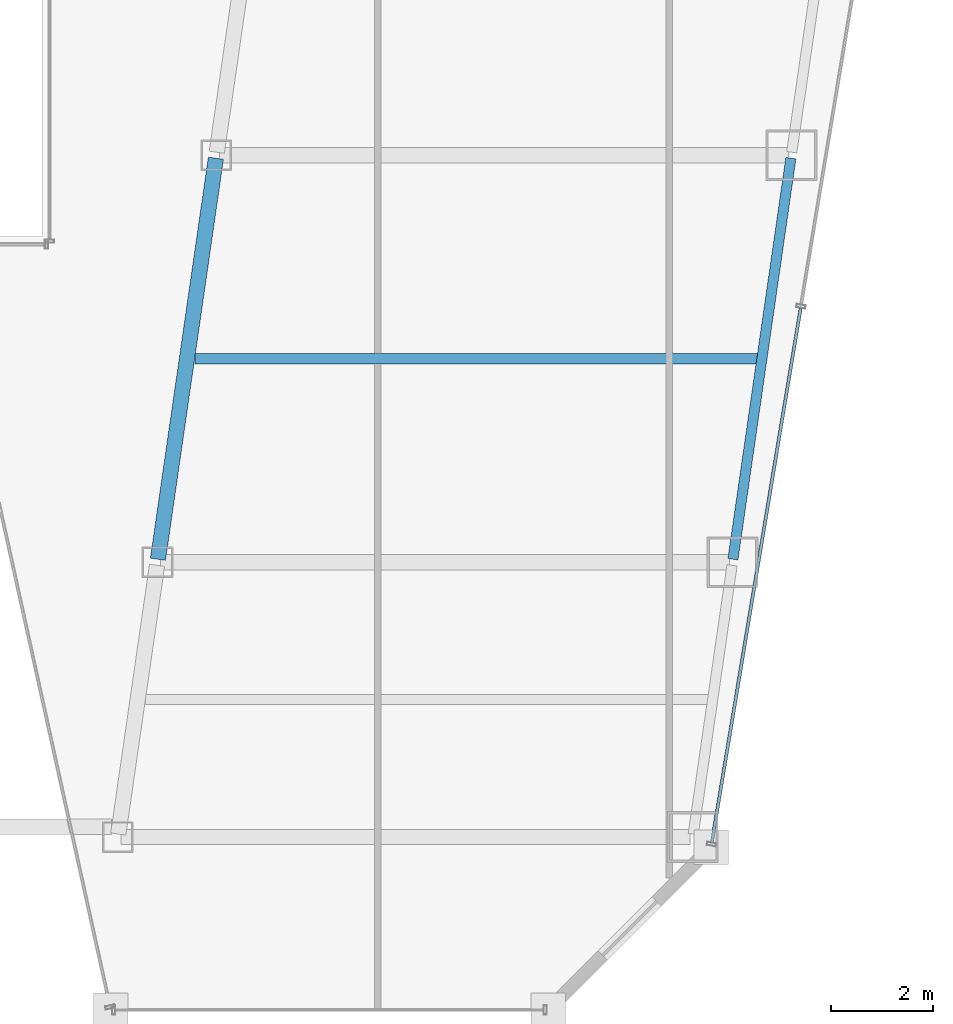
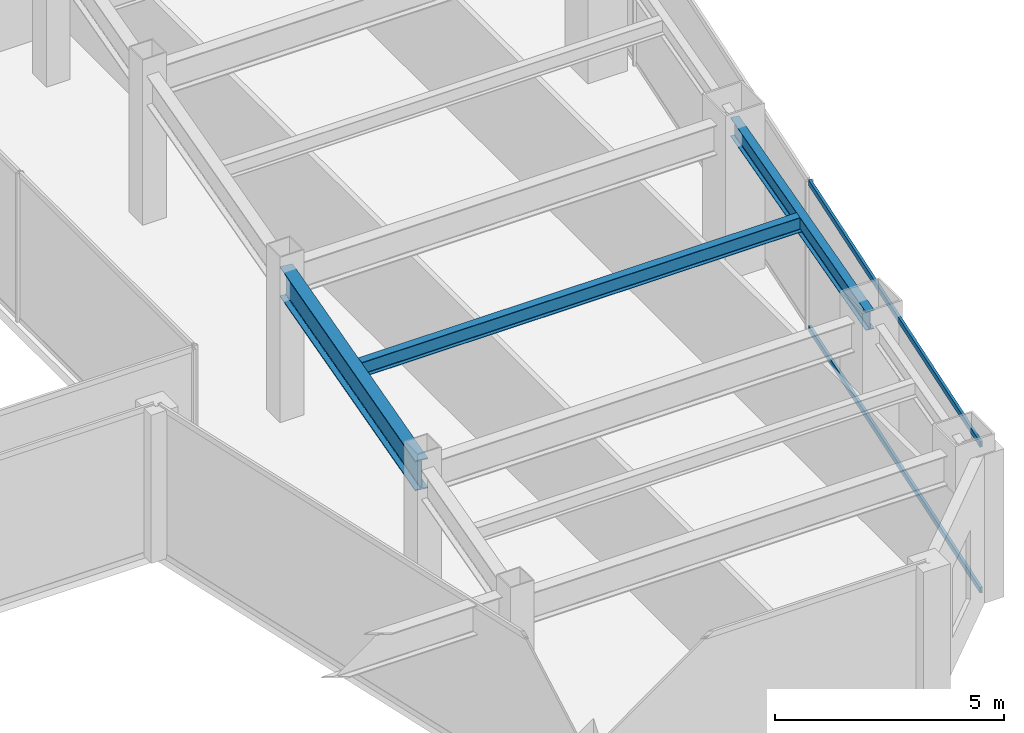
# One storey, part 14 of 36: 3 beams, 2 members, 1 element without a shape of its own.
"""IFC4 building model written with IfcOpenShell, lengths in metres."""

from ifc_helpers import new_model, si_unit, direction, frame, origin, origin_2d, place, context, subcontext, project, spatial, hollow_rectangle, i_section, extrude, material, material_profile, profile_set, type_object, element, aggregate, save


model = new_model("IFC4")

# Units and contexts
model_context = context("Model", 3, precision=1e-05, world=origin(), true_north=direction((0.0, 1.0)))
body_context = subcontext(model_context, "Body", "Model", "MODEL_VIEW")
ifc_project = project(units=[si_unit("LENGTHUNIT", "METRE"), si_unit("AREAUNIT", "SQUARE_METRE"), si_unit("VOLUMEUNIT", "CUBIC_METRE"), si_unit("PLANEANGLEUNIT", "RADIAN"), si_unit("MASSUNIT", "GRAM", prefix="KILO")], contexts=[model_context])

# Site, building, storey
site_placement = place(None, origin())
site = spatial("IfcSite", under=ifc_project, at=site_placement, CompositionType="ELEMENT")
building_placement = place(site_placement, origin())
building = spatial("IfcBuilding", under=site, at=building_placement, Name="Saevonmaru Cultural Tower", CompositionType="ELEMENT")
storey_placement = place(building_placement, frame((0.0, 0.0, 119.199951171875)))
storey = spatial("IfcBuildingStorey", under=building, at=storey_placement, Name="L25", CompositionType="ELEMENT", Elevation=119.199951171875)

# Beams
ifc_material_1 = material(Name="Steel SM420", Category="steel")
ifc_material_profile_1 = material_profile(ifc_material_1, i_section(OverallWidth=0.300048828125, OverallDepth=0.800048828125, WebThickness=0.013916015625, FlangeThickness=0.02587890625, FilletRadius=0.028076171875, at=origin_2d()), Name="H-800x300x14x26")
ifc_profile_set_1 = profile_set([ifc_material_profile_1], Name="Steel SM420")
beam_type_1 = type_object("IfcBeamType", Name="BM-G-H800", PredefinedType="BEAM", material=ifc_profile_set_1)
beam_1_placement = place(storey_placement, frame((38.08056640625, 16.059326171875, 3.550048828125), z_axis=(0.143022161059, 0.989719486241, 0.0), x_axis=(-0.989719486241, 0.143022161059, 0.0)))
element("IfcBeam", 1, at=beam_1_placement, inside=storey, type_object=beam_type_1, Name="L25 East Atrium Girder 2", PredefinedType="BEAM", context=body_context, shape_type="SweptSolid", body=[
    extrude(i_section(OverallWidth=0.300048828125, OverallDepth=0.800048828125, WebThickness=0.013916015625, FlangeThickness=0.02587890625, FilletRadius=0.028076171875, at=origin_2d()), origin(), (0.0, 0.0, 1.0), 7.963134765625),
])
ifc_material_2 = material(Name="Steel SM355", Category="steel")
ifc_material_profile_2 = material_profile(ifc_material_2, i_section(OverallWidth=0.199951171875, OverallDepth=0.39990234375, WebThickness=0.008056640625, FlangeThickness=0.012939453125, FilletRadius=0.01611328125, at=origin_2d()), Name="H-400x200x8x13")
ifc_profile_set_2 = profile_set([ifc_material_profile_2], Name="Steel SM355")
beam_type_2 = type_object("IfcBeamType", Name="BM-J-H400", PredefinedType="JOIST", material=ifc_profile_set_2)
beam_2_placement = place(storey_placement, frame((38.80810546875, 20.0, 3.75), z_axis=(1.0, 0.0, 0.0), x_axis=(0.0, 1.0, 0.0)))
element("IfcBeam", 2, at=beam_2_placement, inside=storey, type_object=beam_type_2, Name="L25 East Wing Floor Joist 2", PredefinedType="JOIST", context=body_context, shape_type="SweptSolid", body=[
    extrude(i_section(OverallWidth=0.199951171875, OverallDepth=0.39990234375, WebThickness=0.008056640625, FlangeThickness=0.012939453125, FilletRadius=0.01611328125, at=origin_2d()), origin(), (0.0, 0.0, 1.0), 11.081787109375),
])
ifc_material_profile_3 = material_profile(ifc_material_2, i_section(OverallWidth=0.199951171875, OverallDepth=0.5, WebThickness=0.010009765625, FlangeThickness=0.01611328125, FilletRadius=0.02001953125, at=origin_2d()), Name="H-500x200x10x16")
ifc_profile_set_3 = profile_set([ifc_material_profile_3], Name="Steel SM355")
beam_type_3 = type_object("IfcBeamType", Name="BM-SP-H500", PredefinedType="SPANDREL", material=ifc_profile_set_3)
beam_3_placement = place(storey_placement, frame((49.380615234375, 16.059326171875, 3.699951171875), z_axis=(0.142992129437, 0.989723825579, 0.0), x_axis=(-0.989723825579, 0.142992129437, 0.0)))
element("IfcBeam", 3, at=beam_3_placement, inside=storey, type_object=beam_type_3, Name="L25 East Splayed Spandrel 2", PredefinedType="SPANDREL", context=body_context, shape_type="SweptSolid", body=[
    extrude(i_section(OverallWidth=0.199951171875, OverallDepth=0.5, WebThickness=0.010009765625, FlangeThickness=0.01611328125, FilletRadius=0.02001953125, at=origin_2d()), origin(), (0.0, 0.0, 1.0), 7.963134765625),
])

# Curtain wall, members
ifc_material_3 = material(Name="Satin Bronze Anodised Aluminium", Category="aluminium")
curtain_wall_type = type_object("IfcCurtainWallType", Name="CW-TYP-A", PredefinedType="NOTDEFINED", material=ifc_material_3)
curtain_wall_placement = place(storey_placement, origin())
curtain_wall = element("IfcCurtainWall", 4, at=curtain_wall_placement, inside=storey, type_object=curtain_wall_type, Name="L25 Unitised Curtain Wall E8", PredefinedType="NOTDEFINED")
ifc_material_profile_4 = material_profile(ifc_material_3, hollow_rectangle(XDim=0.06494140625, YDim=0.14990234375, WallThickness=0.00390625, at=origin_2d()), Name="ALU-TRAN-150x65x4")
ifc_profile_set_4 = profile_set([ifc_material_profile_4], Name="Satin Bronze Anodised Aluminium")
member_type = type_object("IfcMemberType", Name="TR-CW-150x65", PredefinedType="USERDEFINED", material=ifc_profile_set_4)
member_1_placement = place(storey_placement, frame((48.96630859375, 10.4912109375, 0.032470703125), z_axis=(0.163990079074, 0.9864619881, 0.0), x_axis=(-0.9864619881, 0.163990079074, 0.0)))
member_1 = element("IfcMember", 5, at=member_1_placement, type_object=member_type, Name="CW-TW-L25-E8 transom 1.1", ObjectType="TRANSOM", PredefinedType="USERDEFINED", context=body_context, shape_type="SweptSolid", body=[
    extrude(hollow_rectangle(XDim=0.06494140625, YDim=0.14990234375, WallThickness=0.00390625, at=origin_2d()), origin(), (0.0, 0.0, 1.0), 10.650634765625),
])
member_2_placement = place(storey_placement, frame((48.96630859375, 10.4912109375, 3.91748046875), z_axis=(0.163990079074, 0.9864619881, 0.0), x_axis=(-0.9864619881, 0.163990079074, 0.0)))
member_2 = element("IfcMember", 6, at=member_2_placement, type_object=member_type, Name="CW-TW-L25-E8 transom 1.2", ObjectType="TRANSOM", PredefinedType="USERDEFINED", context=body_context, shape_type="SweptSolid", body=[
    extrude(hollow_rectangle(XDim=0.06494140625, YDim=0.14990234375, WallThickness=0.00390625, at=origin_2d()), origin(), (0.0, 0.0, 1.0), 10.650634765625),
])
aggregate(curtain_wall, [member_1, member_2])

save(model, "model.ifc")
